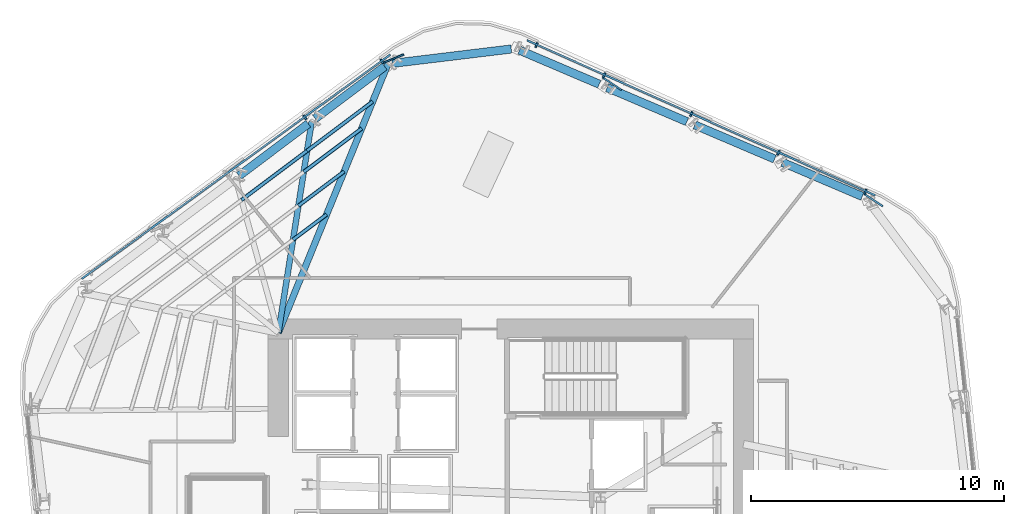
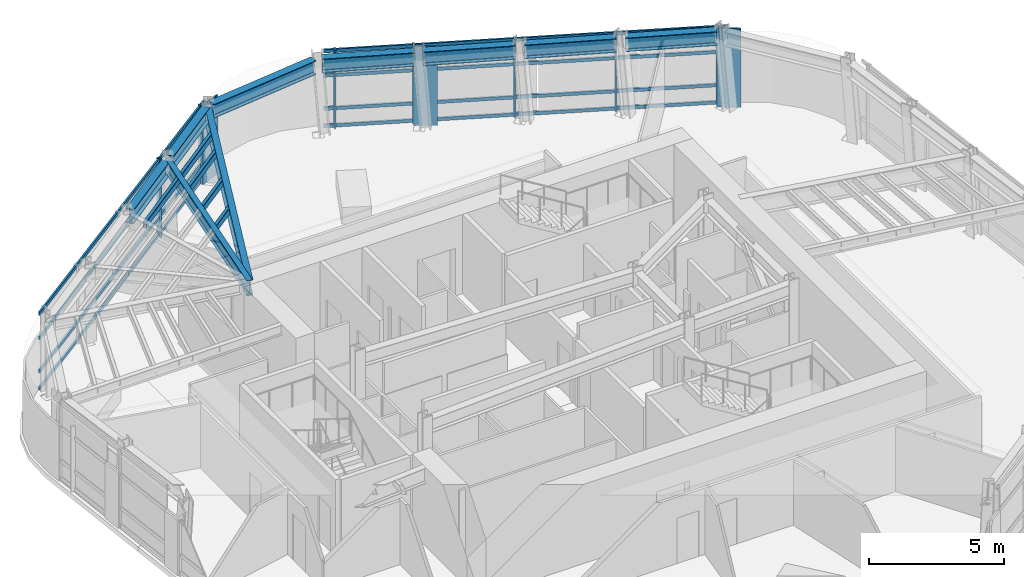
# One storey, part 6 of 14: 23 members, 9 beams, 2 elements without a shape of their own.
"""IFC4 building model written with IfcOpenShell, lengths in metres."""

from ifc_helpers import new_model, si_unit, direction, frame, origin, origin_2d, place, context, subcontext, project, spatial, rectangle, hollow_rectangle, i_section, extrude, material, layer, layer_set, material_profile, profile_set, type_object, element, aggregate, save


model = new_model("IFC4")

# Units and contexts
model_context = context("Model", 3, precision=1e-05, world=origin(), true_north=direction((0.0, 1.0)))
body_context = subcontext(model_context, "Body", "Model", "MODEL_VIEW")
ifc_project = project(units=[si_unit("LENGTHUNIT", "METRE"), si_unit("AREAUNIT", "SQUARE_METRE"), si_unit("VOLUMEUNIT", "CUBIC_METRE"), si_unit("PLANEANGLEUNIT", "RADIAN"), si_unit("MASSUNIT", "GRAM", prefix="KILO")], contexts=[model_context])

# Site, building, storey
site_placement = place(None, origin())
site = spatial("IfcSite", under=ifc_project, at=site_placement, CompositionType="ELEMENT")
building_placement = place(site_placement, origin())
building = spatial("IfcBuilding", under=site, at=building_placement, Name="Valkerne Bourse Tower", CompositionType="ELEMENT")
storey_placement = place(building_placement, frame((0.0, 0.0, 178.0)))
storey = spatial("IfcBuildingStorey", under=building, at=storey_placement, Name="L45", CompositionType="ELEMENT", Elevation=178.0)

# Beams
ifc_material_1 = material(Name="Steel ASTM A992", Category="steel")
ifc_material_profile_1 = material_profile(ifc_material_1, i_section(OverallWidth=0.32763671875, OverallDepth=0.62744140625, WebThickness=0.0166015625, FlangeThickness=0.027587890625, FilletRadius=0.020263671875, at=origin_2d()), Name="W24X146")
ifc_profile_set_1 = profile_set([ifc_material_profile_1], Name="Steel ASTM A992")
beam_type_1 = type_object("IfcBeamType", Name="BM-W24X146", PredefinedType="SPANDREL", material=ifc_profile_set_1)
beam_1_placement = place(storey_placement, frame((60.69921875, 40.796142578125, 3.266357421875), z_axis=(-0.919817202852, 0.392347184693, 0.0), x_axis=(-0.392347184693, -0.919817202852, 0.0)))
element("IfcBeam", 1, at=beam_1_placement, inside=storey, type_object=beam_type_1, Name="L45 Hexagonal Spandrel Ring Beam 00", PredefinedType="SPANDREL", context=body_context, shape_type="SweptSolid", body=[
    extrude(i_section(OverallWidth=0.32763671875, OverallDepth=0.62744140625, WebThickness=0.0166015625, FlangeThickness=0.027587890625, FilletRadius=0.020263671875, at=origin_2d()), origin(), (0.0, 0.0, 1.0), 3.43115234375),
])
beam_2_placement = place(storey_placement, frame((57.23046875, 42.275634765625, 3.266357421875), z_axis=(-0.91980624848, 0.392372865087, 0.0), x_axis=(-0.392372865087, -0.91980624848, 0.0)))
element("IfcBeam", 2, at=beam_2_placement, inside=storey, type_object=beam_type_1, Name="L45 Hexagonal Spandrel Ring Beam 01", PredefinedType="SPANDREL", context=body_context, shape_type="SweptSolid", body=[
    extrude(i_section(OverallWidth=0.32763671875, OverallDepth=0.62744140625, WebThickness=0.0166015625, FlangeThickness=0.027587890625, FilletRadius=0.020263671875, at=origin_2d()), origin(), (0.0, 0.0, 1.0), 3.430908203125),
])
beam_3_placement = place(storey_placement, frame((53.761962890625, 43.755126953125, 3.266357421875), z_axis=(-0.919817202852, 0.392347184693, 0.0), x_axis=(-0.392347184693, -0.919817202852, 0.0)))
element("IfcBeam", 3, at=beam_3_placement, inside=storey, type_object=beam_type_1, Name="L45 Hexagonal Spandrel Ring Beam 02", PredefinedType="SPANDREL", context=body_context, shape_type="SweptSolid", body=[
    extrude(i_section(OverallWidth=0.32763671875, OverallDepth=0.62744140625, WebThickness=0.0166015625, FlangeThickness=0.027587890625, FilletRadius=0.020263671875, at=origin_2d()), origin(), (0.0, 0.0, 1.0), 3.43115234375),
])
beam_4_placement = place(storey_placement, frame((50.293212890625, 45.234619140625, 3.266357421875), z_axis=(-0.91980624848, 0.392372865087, 0.0), x_axis=(-0.392372865087, -0.91980624848, 0.0)))
element("IfcBeam", 4, at=beam_4_placement, inside=storey, type_object=beam_type_1, Name="L45 Hexagonal Spandrel Ring Beam 03", PredefinedType="SPANDREL", context=body_context, shape_type="SweptSolid", body=[
    extrude(i_section(OverallWidth=0.32763671875, OverallDepth=0.62744140625, WebThickness=0.0166015625, FlangeThickness=0.027587890625, FilletRadius=0.020263671875, at=origin_2d()), origin(), (0.0, 0.0, 1.0), 3.430908203125),
])
beam_5_placement = place(storey_placement, frame((46.812255859375, 46.627197265625, 3.266357421875), z_axis=(-0.992754462482, -0.120160630919, 0.0), x_axis=(0.120160630919, -0.992754462482, 0.0)))
element("IfcBeam", 5, at=beam_5_placement, inside=storey, type_object=beam_type_1, Name="L45 Hexagonal Spandrel Ring Beam 04", PredefinedType="SPANDREL", context=body_context, shape_type="SweptSolid", body=[
    extrude(i_section(OverallWidth=0.32763671875, OverallDepth=0.62744140625, WebThickness=0.0166015625, FlangeThickness=0.027587890625, FilletRadius=0.020263671875, at=origin_2d()), origin(), (0.0, 0.0, 1.0), 4.740234375),
])
beam_6_placement = place(storey_placement, frame((41.8017578125, 45.93505859375, 3.266357421875), z_axis=(-0.799701053501, -0.600398388597, 0.0), x_axis=(0.600398388597, -0.799701053501, 0.0)))
element("IfcBeam", 6, at=beam_6_placement, inside=storey, type_object=beam_type_1, Name="L45 Hexagonal Spandrel Ring Beam 05", PredefinedType="SPANDREL", context=body_context, shape_type="SweptSolid", body=[
    extrude(i_section(OverallWidth=0.32763671875, OverallDepth=0.62744140625, WebThickness=0.0166015625, FlangeThickness=0.027587890625, FilletRadius=0.020263671875, at=origin_2d()), origin(), (0.0, 0.0, 1.0), 3.43115234375),
])
beam_7_placement = place(storey_placement, frame((38.7861328125, 43.6708984375, 3.266357421875), z_axis=(-0.799735217545, -0.600352881077, 0.0), x_axis=(0.600352881077, -0.799735217545, 0.0)))
element("IfcBeam", 7, at=beam_7_placement, inside=storey, type_object=beam_type_1, Name="L45 Hexagonal Spandrel Ring Beam 06", PredefinedType="SPANDREL", context=body_context, shape_type="SweptSolid", body=[
    extrude(i_section(OverallWidth=0.32763671875, OverallDepth=0.62744140625, WebThickness=0.0166015625, FlangeThickness=0.027587890625, FilletRadius=0.020263671875, at=origin_2d()), origin(), (0.0, 0.0, 1.0), 3.430908203125),
])
ifc_material_profile_2 = material_profile(ifc_material_1, i_section(OverallWidth=0.228271484375, OverallDepth=0.607177734375, WebThickness=0.01123046875, FlangeThickness=0.017333984375, FilletRadius=0.017822265625, at=origin_2d()), Name="W24X76")
ifc_profile_set_2 = profile_set([ifc_material_profile_2], Name="Steel ASTM A992")
beam_type_2 = type_object("IfcBeamType", Name="BM-W24X76", PredefinedType="JOIST", material=ifc_profile_set_2)
beam_8_placement = place(storey_placement, frame((38.922119140625, 43.77294921875, 3.276611328125), z_axis=(-0.15595813654, -0.987763665887, 0.0), x_axis=(0.987763665887, -0.15595813654, 0.0)))
element("IfcBeam", 8, at=beam_8_placement, inside=storey, type_object=beam_type_2, Name="L45 Radial Composite Floor Beam 06", PredefinedType="JOIST", context=body_context, shape_type="SweptSolid", body=[
    extrude(i_section(OverallWidth=0.228271484375, OverallDepth=0.607177734375, WebThickness=0.01123046875, FlangeThickness=0.017333984375, FilletRadius=0.017822265625, at=origin_2d()), origin(), (0.0, 0.0, 1.0), 8.476806640625),
])
ifc_material_profile_3 = material_profile(ifc_material_1, i_section(OverallWidth=0.255859375, OverallDepth=0.693359375, WebThickness=0.014404296875, FlangeThickness=0.023681640625, FilletRadius=0.02294921875, at=origin_2d()), Name="W27X114")
ifc_profile_set_3 = profile_set([ifc_material_profile_3], Name="Steel ASTM A992")
beam_type_3 = type_object("IfcBeamType", Name="BM-W27X114", PredefinedType="BEAM", material=ifc_profile_set_3)
beam_9_placement = place(storey_placement, frame((41.937744140625, 46.037109375, 3.2333984375), z_axis=(-0.377593227904, -0.925971573128, 0.0), x_axis=(0.925971573128, -0.377593227904, 0.0)))
element("IfcBeam", 9, at=beam_9_placement, inside=storey, type_object=beam_type_3, Name="L45 Radial Composite Floor Beam 05", PredefinedType="BEAM", context=body_context, shape_type="SweptSolid", body=[
    extrude(i_section(OverallWidth=0.255859375, OverallDepth=0.693359375, WebThickness=0.014404296875, FlangeThickness=0.023681640625, FilletRadius=0.02294921875, at=origin_2d()), origin(), (0.0, 0.0, 1.0), 11.487548828125),
])

# Curtain wall, members
ifc_material_2 = material(Name="Aluminium AA 6063-T6", Category="aluminium")
ifc_layer = layer(ifc_material_2, 0.235107421875)
ifc_layer_set = layer_set([ifc_layer], Name="Aluminium AA 6063-T6")
curtain_wall_type = type_object("IfcCurtainWallType", Name="CW-03", PredefinedType="NOTDEFINED", material=ifc_layer_set)
curtain_wall_1_placement = place(storey_placement, origin())
curtain_wall_1 = element("IfcCurtainWall", 10, at=curtain_wall_1_placement, inside=storey, type_object=curtain_wall_type, Name="L45 Hexagonal Stick Curtain Wall Face 1", PredefinedType="NOTDEFINED")
ifc_material_profile_4 = material_profile(ifc_material_2, rectangle(XDim=0.074951171875, YDim=0.199951171875, at=origin_2d()), Name="CWM-75X200")
ifc_profile_set_4 = profile_set([ifc_material_profile_4], Name="Aluminium AA 6063-T6")
member_type_1 = type_object("IfcMemberType", Name="CW-MUL-220X75", PredefinedType="MULLION", material=ifc_profile_set_4)
member_1_placement = place(storey_placement, frame((60.82421875, 40.988525390625, 0.0), z_axis=(0.0, 0.0, 1.0), x_axis=(-0.913546720929, 0.406733805676, 0.0)))
member_1 = element("IfcMember", 11, at=member_1_placement, type_object=member_type_1, Name="CW-L45-F1 Jamb Mullion 00A", PredefinedType="MULLION", context=body_context, shape_type="SweptSolid", body=[
    extrude(rectangle(XDim=0.074951171875, YDim=0.199951171875, at=origin_2d()), origin(), (0.0, 0.0, 1.0), 3.580078125),
])
member_2_placement = place(storey_placement, frame((57.379150390625, 42.522216796875, 0.0), z_axis=(0.0, 0.0, 1.0), x_axis=(-0.913546720929, 0.406733805676, 0.0)))
member_2 = element("IfcMember", 12, at=member_2_placement, type_object=member_type_1, Name="CW-L45-F1 Jamb Mullion 01A", PredefinedType="MULLION", context=body_context, shape_type="SweptSolid", body=[
    extrude(rectangle(XDim=0.074951171875, YDim=0.199951171875, at=origin_2d()), origin(), (0.0, 0.0, 1.0), 3.580078125),
])
member_3_placement = place(storey_placement, frame((53.93408203125, 44.05615234375, 0.0), z_axis=(0.0, 0.0, 1.0), x_axis=(-0.913546720929, 0.406733805676, 0.0)))
member_3 = element("IfcMember", 13, at=member_3_placement, type_object=member_type_1, Name="CW-L45-F1 Jamb Mullion 02A", PredefinedType="MULLION", context=body_context, shape_type="SweptSolid", body=[
    extrude(rectangle(XDim=0.074951171875, YDim=0.199951171875, at=origin_2d()), origin(), (0.0, 0.0, 1.0), 3.580078125),
])
member_4_placement = place(storey_placement, frame((50.489013671875, 45.58984375, 0.0), z_axis=(0.0, 0.0, 1.0), x_axis=(-0.913542333826, 0.406743659211, 0.0)))
member_4 = element("IfcMember", 14, at=member_4_placement, type_object=member_type_1, Name="CW-L45-F1 Jamb Mullion 03A", PredefinedType="MULLION", context=body_context, shape_type="SweptSolid", body=[
    extrude(rectangle(XDim=0.074951171875, YDim=0.199951171875, at=origin_2d()), origin(), (0.0, 0.0, 1.0), 3.580078125),
])
member_5_placement = place(storey_placement, frame((47.8115234375, 46.781982421875, 0.0), z_axis=(0.0, 0.0, 1.0), x_axis=(-0.913542333826, 0.406743659211, 0.0)))
member_5 = element("IfcMember", 15, at=member_5_placement, type_object=member_type_1, Name="CW-L45-F1 Jamb Mullion 03B", PredefinedType="MULLION", context=body_context, shape_type="SweptSolid", body=[
    extrude(rectangle(XDim=0.074951171875, YDim=0.199951171875, at=origin_2d()), origin(), (0.0, 0.0, 1.0), 3.580078125),
])

curtain_wall_2_placement = place(storey_placement, origin())
curtain_wall_2 = element("IfcCurtainWall", 16, at=curtain_wall_2_placement, inside=storey, type_object=curtain_wall_type, Name="L45 Hexagonal Stick Curtain Wall Face 2", PredefinedType="NOTDEFINED")
member_6_placement = place(storey_placement, frame((41.69775390625, 46.139404296875, 0.0), z_axis=(0.0, 0.0, 1.0), x_axis=(-0.809008916878, -0.587796369853, 0.0)))
member_6 = element("IfcMember", 17, at=member_6_placement, type_object=member_type_1, Name="CW-L45-F2 Jamb Mullion 00A", PredefinedType="MULLION", context=body_context, shape_type="SweptSolid", body=[
    extrude(rectangle(XDim=0.074951171875, YDim=0.199951171875, at=origin_2d()), origin(), (0.0, 0.0, 1.0), 3.580078125),
])
member_7_placement = place(storey_placement, frame((38.64697265625, 43.9228515625, 0.0), z_axis=(0.0, 0.0, 1.0), x_axis=(-0.809021527022, -0.587779013589, 0.0)))
member_7 = element("IfcMember", 18, at=member_7_placement, type_object=member_type_1, Name="CW-L45-F2 Jamb Mullion 01A", PredefinedType="MULLION", context=body_context, shape_type="SweptSolid", body=[
    extrude(rectangle(XDim=0.074951171875, YDim=0.199951171875, at=origin_2d()), origin(), (0.0, 0.0, 1.0), 3.580078125),
])

# Member
ifc_material_profile_5 = material_profile(ifc_material_2, rectangle(XDim=0.074951171875, YDim=0.14990234375, at=origin_2d()), Name="CWT-75X150")
ifc_profile_set_5 = profile_set([ifc_material_profile_5], Name="Aluminium AA 6063-T6")
member_type_2 = type_object("IfcMemberType", Name="CW-TRN-180X65", PredefinedType="USERDEFINED", material=ifc_profile_set_5)
member_8_placement = place(storey_placement, frame((61.2158203125, 40.8359375, 0.1201171875), z_axis=(-0.913543036691, 0.406742080579, 0.0), x_axis=(-0.406742080579, -0.913543036691, 0.0)))
member_8 = element("IfcMember", 19, at=member_8_placement, type_object=member_type_2, Name="CW-L45-F1 Continuous Face Transom 1", ObjectType="TRANSOM", PredefinedType="USERDEFINED", context=body_context, shape_type="SweptSolid", body=[
    extrude(rectangle(XDim=0.074951171875, YDim=0.14990234375, at=origin_2d()), origin(), (0.0, 0.0, 1.0), 15.083984375),
])

member_9_placement = place(storey_placement, frame((61.2158203125, 40.8359375, 0.89990234375), z_axis=(-0.913543036691, 0.406742080579, 0.0), x_axis=(-0.406742080579, -0.913543036691, 0.0)))
member_9 = element("IfcMember", 20, at=member_9_placement, type_object=member_type_2, Name="CW-L45-F1 Continuous Face Transom 2", ObjectType="TRANSOM", PredefinedType="USERDEFINED", context=body_context, shape_type="SweptSolid", body=[
    extrude(rectangle(XDim=0.074951171875, YDim=0.14990234375, at=origin_2d()), origin(), (0.0, 0.0, 1.0), 15.083984375),
])

member_10_placement = place(storey_placement, frame((61.2158203125, 40.8359375, 2.39990234375), z_axis=(-0.913543036691, 0.406742080579, 0.0), x_axis=(-0.406742080579, -0.913543036691, 0.0)))
member_10 = element("IfcMember", 21, at=member_10_placement, type_object=member_type_2, Name="CW-L45-F1 Continuous Face Transom 3", ObjectType="TRANSOM", PredefinedType="USERDEFINED", context=body_context, shape_type="SweptSolid", body=[
    extrude(rectangle(XDim=0.074951171875, YDim=0.14990234375, at=origin_2d()), origin(), (0.0, 0.0, 1.0), 15.083984375),
])

member_11_placement = place(storey_placement, frame((61.2158203125, 40.8359375, 3.5), z_axis=(-0.913543036691, 0.406742080579, 0.0), x_axis=(-0.406742080579, -0.913543036691, 0.0)))
member_11 = element("IfcMember", 22, at=member_11_placement, type_object=member_type_2, Name="CW-L45-F1 Continuous Face Transom 4", ObjectType="TRANSOM", PredefinedType="USERDEFINED", context=body_context, shape_type="SweptSolid", body=[
    extrude(rectangle(XDim=0.074951171875, YDim=0.14990234375, at=origin_2d()), origin(), (0.0, 0.0, 1.0), 15.083984375),
])

aggregate(curtain_wall_1, [member_8, member_9, member_10, member_11, member_1, member_2, member_3, member_4, member_5])

member_12_placement = place(storey_placement, frame((42.025634765625, 46.402587890625, 0.1201171875), z_axis=(-0.809013159277, -0.587790530816, 0.0), x_axis=(0.587790530816, -0.809013159277, 0.0)))
member_12 = element("IfcMember", 23, at=member_12_placement, type_object=member_type_2, Name="CW-L45-F2 Continuous Face Transom 1", ObjectType="TRANSOM", PredefinedType="USERDEFINED", context=body_context, shape_type="SweptSolid", body=[
    extrude(rectangle(XDim=0.074951171875, YDim=0.14990234375, at=origin_2d()), origin(), (0.0, 0.0, 1.0), 15.083984375),
])

member_13_placement = place(storey_placement, frame((42.025634765625, 46.402587890625, 0.89990234375), z_axis=(-0.809013159277, -0.587790530816, 0.0), x_axis=(0.587790530816, -0.809013159277, 0.0)))
member_13 = element("IfcMember", 24, at=member_13_placement, type_object=member_type_2, Name="CW-L45-F2 Continuous Face Transom 2", ObjectType="TRANSOM", PredefinedType="USERDEFINED", context=body_context, shape_type="SweptSolid", body=[
    extrude(rectangle(XDim=0.074951171875, YDim=0.14990234375, at=origin_2d()), origin(), (0.0, 0.0, 1.0), 15.083984375),
])

member_14_placement = place(storey_placement, frame((42.025634765625, 46.402587890625, 2.39990234375), z_axis=(-0.809013159277, -0.587790530816, 0.0), x_axis=(0.587790530816, -0.809013159277, 0.0)))
member_14 = element("IfcMember", 25, at=member_14_placement, type_object=member_type_2, Name="CW-L45-F2 Continuous Face Transom 3", ObjectType="TRANSOM", PredefinedType="USERDEFINED", context=body_context, shape_type="SweptSolid", body=[
    extrude(rectangle(XDim=0.074951171875, YDim=0.14990234375, at=origin_2d()), origin(), (0.0, 0.0, 1.0), 15.083984375),
])

member_15_placement = place(storey_placement, frame((42.025634765625, 46.402587890625, 3.5), z_axis=(-0.809013159277, -0.587790530816, 0.0), x_axis=(0.587790530816, -0.809013159277, 0.0)))
member_15 = element("IfcMember", 26, at=member_15_placement, type_object=member_type_2, Name="CW-L45-F2 Continuous Face Transom 4", ObjectType="TRANSOM", PredefinedType="USERDEFINED", context=body_context, shape_type="SweptSolid", body=[
    extrude(rectangle(XDim=0.074951171875, YDim=0.14990234375, at=origin_2d()), origin(), (0.0, 0.0, 1.0), 15.083984375),
])

aggregate(curtain_wall_2, [member_12, member_13, member_14, member_15, member_6, member_7])

# Members
ifc_material_3 = material(Name="Bronze Anodised Aluminium AA 6063-T6", Category="aluminium")
ifc_material_profile_6 = material_profile(ifc_material_3, rectangle(XDim=0.070068359375, YDim=0.89990234375, at=origin_2d()), Name="FIN-70X900")
ifc_profile_set_6 = profile_set([ifc_material_profile_6], Name="Bronze Anodised Aluminium AA 6063-T6")
member_type_3 = type_object("IfcMemberType", Name="FIN-SOLAR-900", PredefinedType="USERDEFINED", material=ifc_profile_set_6)
for number, where, z_axis, x_axis, name in (
    (27, (61.134521484375, 40.6533203125, 0.00390625), (0.0, 0.0, 1.0), (0.553926661087, 0.832565465376, 0.0), "L45 Bronze Anodised Solar Fin F1-00"),
    (28, (50.799560546875, 45.254638671875, 0.00390625), (0.0, 0.0, 1.0), (0.553934049502, 0.832560549631, 0.0), "L45 Bronze Anodised Solar Fin F1-03"),
    (29, (42.143310546875, 46.24072265625, 0.00390625), (0.0, 0.0, 1.0), (-0.380871138072, 0.924628128592, 0.0), "L45 Bronze Anodised Solar Fin F2-00"),
):
    element("IfcMember", number, at=place(storey_placement, frame(where, z_axis=z_axis, x_axis=x_axis)), inside=storey, type_object=member_type_3, Name=name, ObjectType="SOLAR_FIN", PredefinedType="USERDEFINED", context=body_context, shape_type="SweptSolid", body=[
        extrude(rectangle(XDim=0.070068359375, YDim=0.89990234375, at=origin_2d()), origin(), (0.0, 0.0, 1.0), 3.572021484375),
    ])
ifc_material_4 = material(Name="Steel ASTM A500 Grade C", Category="steel")
ifc_material_profile_7 = material_profile(ifc_material_4, hollow_rectangle(XDim=0.14990234375, YDim=0.300048828125, WallThickness=0.012451171875, OuterFilletRadius=0.02490234375, at=origin_2d()), Name="HSS300X150X12.5")
ifc_profile_set_7 = profile_set([ifc_material_profile_7], Name="Steel ASTM A500 Grade C")
member_type_4 = type_object("IfcMemberType", Name="MBR-HSS300X150X12.5", PredefinedType="PURLIN", material=ifc_profile_set_7)
member_16_placement = place(storey_placement, frame((39.508544921875, 40.080322265625, 3.419921875), z_axis=(-0.799664413165, -0.600447188616, 0.0), x_axis=(0.600447188616, -0.799664413165, 0.0)))
element("IfcMember", 30, at=member_16_placement, inside=storey, type_object=member_type_4, Name="L45 Secondary Composite Floor Purlin K-05", PredefinedType="PURLIN", context=body_context, shape_type="SweptSolid", body=[
    extrude(hollow_rectangle(XDim=0.14990234375, YDim=0.300048828125, WallThickness=0.012451171875, OuterFilletRadius=0.02490234375, at=origin_2d()), origin(), (0.0, 0.0, 1.0), 1.659423828125),
])
member_17_placement = place(storey_placement, frame((40.896728515625, 43.484375, 3.419921875), z_axis=(-0.799672788717, -0.60043603405, 0.0), x_axis=(0.60043603405, -0.799672788717, 0.0)))
element("IfcMember", 31, at=member_17_placement, inside=storey, type_object=member_type_4, Name="L45 Secondary Composite Floor Purlin O-05", PredefinedType="PURLIN", context=body_context, shape_type="SweptSolid", body=[
    extrude(hollow_rectangle(XDim=0.14990234375, YDim=0.300048828125, WallThickness=0.012451171875, OuterFilletRadius=0.02490234375, at=origin_2d()), origin(), (0.0, 0.0, 1.0), 2.8662109375),
])
member_18_placement = place(storey_placement, frame((40.20263671875, 41.7822265625, 3.419921875), z_axis=(-0.799702076896, -0.600397025482, 0.0), x_axis=(0.600397025482, -0.799702076896, 0.0)))
element("IfcMember", 32, at=member_18_placement, inside=storey, type_object=member_type_4, Name="L45 Secondary Composite Floor Purlin Z-05", PredefinedType="PURLIN", context=body_context, shape_type="SweptSolid", body=[
    extrude(hollow_rectangle(XDim=0.14990234375, YDim=0.300048828125, WallThickness=0.012451171875, OuterFilletRadius=0.02490234375, at=origin_2d()), origin(), (0.0, 0.0, 1.0), 2.262451171875),
])
member_19_placement = place(storey_placement, frame((41.330322265625, 44.548095703125, 3.419921875), z_axis=(-0.799683719145, -0.60042147641, 0.0), x_axis=(0.60042147641, -0.799683719145, 0.0)))
element("IfcMember", 33, at=member_19_placement, inside=storey, type_object=member_type_4, Name="L45 Secondary Composite Floor Purlin T-05", PredefinedType="PURLIN", context=body_context, shape_type="SweptSolid", body=[
    extrude(hollow_rectangle(XDim=0.14990234375, YDim=0.300048828125, WallThickness=0.012451171875, OuterFilletRadius=0.02490234375, at=origin_2d()), origin(), (0.0, 0.0, 1.0), 3.2431640625),
])
member_20_placement = place(storey_placement, frame((38.73681640625, 42.600830078125, 3.419921875), z_axis=(-0.799692726427, -0.600409479689, 0.0), x_axis=(0.600409479689, -0.799692726427, 0.0)))
element("IfcMember", 34, at=member_20_placement, inside=storey, type_object=member_type_4, Name="L45 Secondary Composite Floor Purlin T-06", PredefinedType="PURLIN", context=body_context, shape_type="SweptSolid", body=[
    extrude(hollow_rectangle(XDim=0.14990234375, YDim=0.300048828125, WallThickness=0.012451171875, OuterFilletRadius=0.02490234375, at=origin_2d()), origin(), (0.0, 0.0, 1.0), 3.242919921875),
])

save(model, "model.ifc")
